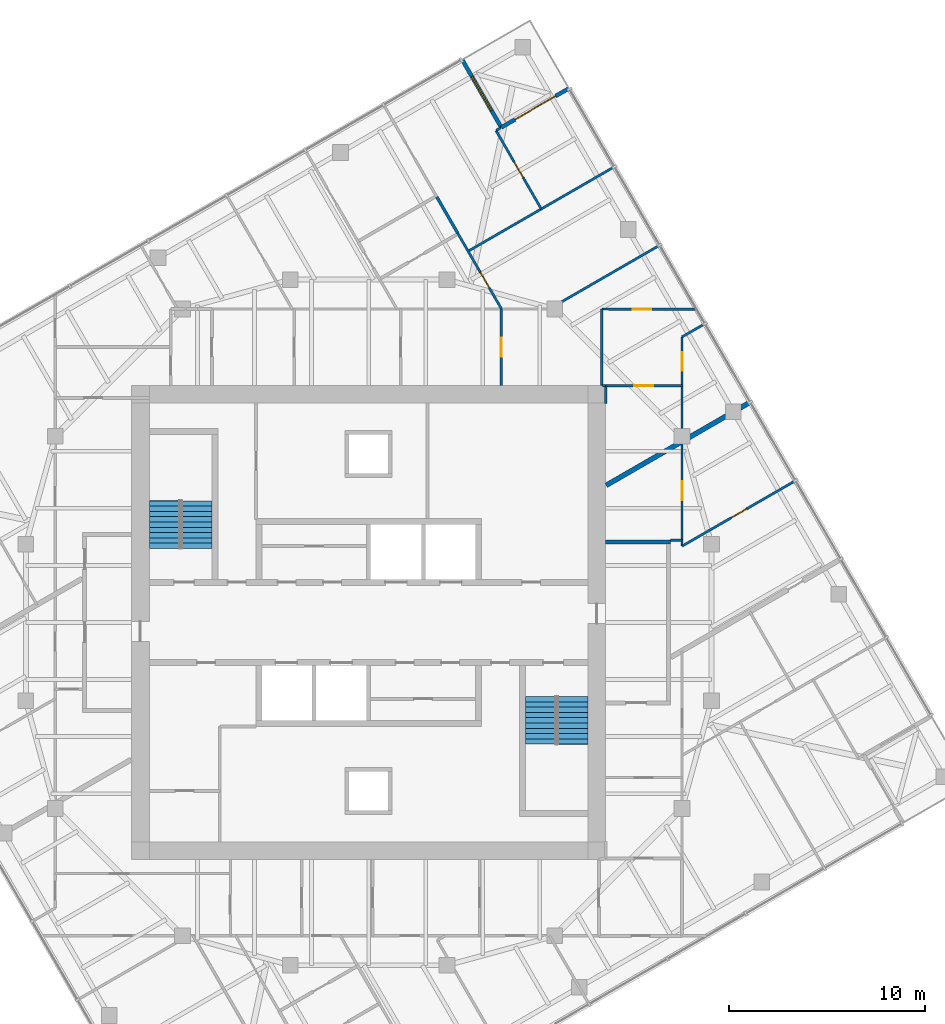
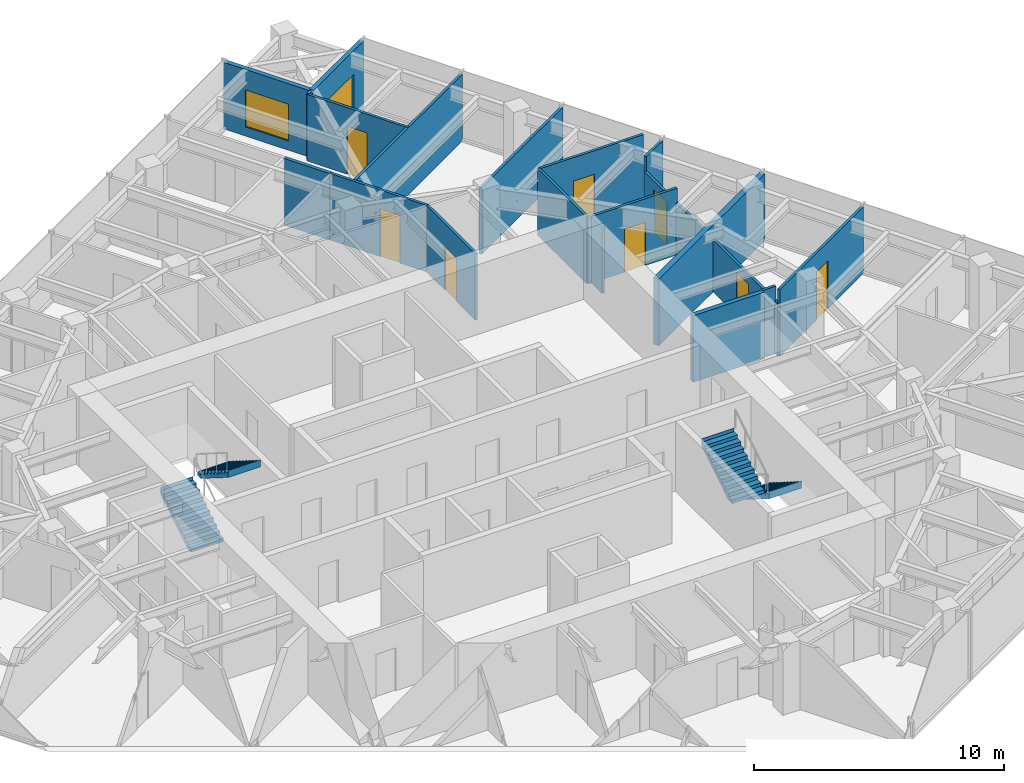
# One storey, part 11 of 12: 20 walls, 9 doors, 4 stair flights, 1 window, 10 openings, 2 elements without a shape of their own.
"""IFC4 building model written with IfcOpenShell, lengths in metres."""

from ifc_helpers import new_model, si_unit, direction, frame, frame_2d, origin, place, context, subcontext, project, spatial, polyline, rectangle, outline, extrude, material, layer, layer_set, type_object, element, fill, aggregate, save


model = new_model("IFC4")

# Units and contexts
model_context = context("Model", 3, precision=1e-05, world=origin(), true_north=direction((0.0, 1.0)))
body_context = subcontext(model_context, "Body", "Model", "MODEL_VIEW")
ifc_project = project(units=[si_unit("LENGTHUNIT", "METRE"), si_unit("AREAUNIT", "SQUARE_METRE"), si_unit("VOLUMEUNIT", "CUBIC_METRE"), si_unit("PLANEANGLEUNIT", "RADIAN"), si_unit("MASSUNIT", "GRAM", prefix="KILO")], contexts=[model_context])

# Site, building, storey
site_placement = place(None, origin())
site = spatial("IfcSite", under=ifc_project, at=site_placement, CompositionType="ELEMENT")
building_placement = place(site_placement, origin())
building = spatial("IfcBuilding", under=site, at=building_placement, Name="Torsade Residences", CompositionType="ELEMENT")
storey_placement = place(building_placement, frame((0.0, 0.0, 218.39990234375)))
storey = spatial("IfcBuildingStorey", under=building, at=storey_placement, Name="L60", CompositionType="ELEMENT", Elevation=218.39990234375)

# Walls
ifc_material_1 = material(Name="Plasterboard on steel stud", Category="steel")
ifc_layer_1 = layer(ifc_material_1, 0.199951171875)
ifc_layer_set_1 = layer_set([ifc_layer_1], Name="Plasterboard on steel stud")
wall_type_1 = type_object("IfcWallType", Name="CORRIDOR WALL 200", PredefinedType="PARTITIONING", material=ifc_layer_set_1)
wall_1_placement = place(storey_placement, frame((52.10009765625, 34.10009765625, 0.0), z_axis=(0.0, 0.0, 1.0), x_axis=(1.0, 0.0, 0.0)))
element("IfcWall", 1, at=wall_1_placement, inside=storey, type_object=wall_type_1, Name="Corridor wall L60", PredefinedType="PARTITIONING", context=body_context, shape_type="SweptSolid", body=[
    extrude(rectangle(XDim=3.2998046875, YDim=0.199951171875, at=frame_2d((1.64990234375, 0.0))), origin(), (0.0, 0.0, 1.0), 3.25),
])
ifc_material_2 = material(Name="Plasterboard on steel stud", Category="steel")
ifc_layer_2 = layer(ifc_material_2, 0.1201171875)
ifc_layer_set_2 = layer_set([ifc_layer_2], Name="Plasterboard on steel stud")
wall_type_2 = type_object("IfcWallType", Name="PARTITION 120", PredefinedType="PARTITIONING", material=ifc_layer_set_2)
wall_2_placement = place(storey_placement, frame((56.0, 34.199951171875, 0.0), z_axis=(0.0, 0.0, 1.0), x_axis=(-1.0, 0.0, 0.0)))
element("IfcWall", 2, at=wall_2_placement, inside=storey, type_object=wall_type_2, Name="Partition L60", PredefinedType="PARTITIONING", context=body_context, shape_type="SweptSolid", body=[
    extrude(rectangle(XDim=0.60009765625, YDim=0.1201171875, at=frame_2d((0.300048828125, 0.0))), origin(), (0.0, 0.0, 1.0), 3.25),
])

# Wall, openings, doors
wall_3_placement = place(storey_placement, frame((56.0, 44.578125, 0.0), z_axis=(0.0, 0.0, 1.0), x_axis=(0.0, -1.0, 0.0)))
wall_3 = element("IfcWall", 3, at=wall_3_placement, inside=storey, type_object=wall_type_2, Name="Partition L60", PredefinedType="PARTITIONING", context=body_context, shape_type="SweptSolid", body=[
    extrude(rectangle(XDim=10.680908203125, YDim=0.1201171875, at=frame_2d((5.34033203125, 0.0))), origin(), (0.0, 0.0, 1.0), 2.550048828125),
])
opening_1_placement = place(wall_3_placement, frame((0.770263671875, 0.0, 0.0)))
opening_1 = element("IfcOpeningElement", 4, at=opening_1_placement, cuts=wall_3, Name="Opening D05", PredefinedType="OPENING", context=body_context, shape_type="SweptSolid", body=[
    extrude(rectangle(XDim=0.9599609375, YDim=2.10009765625, at=frame_2d((0.47998046875, 1.050048828125))), frame((0.0, 0.070068359375, 0.0), z_axis=(0.0, -1.0, 0.0), x_axis=(1.0, 0.0, 0.0)), (0.0, 0.0, 1.0), 0.14013671875),
])
opening_2_placement = place(wall_3_placement, frame((7.37939453125, 0.0, 0.0)))
opening_2 = element("IfcOpeningElement", 5, at=opening_2_placement, cuts=wall_3, Name="Opening D05", PredefinedType="OPENING", context=body_context, shape_type="SweptSolid", body=[
    extrude(rectangle(XDim=0.9599609375, YDim=2.10009765625, at=frame_2d((0.47998046875, 1.050048828125))), frame((0.0, 0.070068359375, 0.0), z_axis=(0.0, -1.0, 0.0), x_axis=(1.0, 0.0, 0.0)), (0.0, 0.0, 1.0), 0.14013671875),
])
ifc_material_3 = material(Name="Hollow-core timber door in a steel cavity frame", Category="steel")
door_type_1 = type_object("IfcDoorType", Name="BATHROOM CAVITY SLIDING DOOR 960", OperationType="SLIDING_TO_LEFT", PredefinedType="DOOR", material=ifc_material_3)
door_1_placement = place(opening_1_placement, origin())
door_1 = element("IfcDoor", 6, at=door_1_placement, inside=storey, type_object=door_type_1, Name="Door Bathroom to Dining room 2", OperationType="SLIDING_TO_LEFT", OverallHeight=2.10009765625, OverallWidth=0.9599609375, PredefinedType="DOOR", context=body_context, shape_type="SweptSolid", body=[
    extrude(rectangle(XDim=0.9599609375, YDim=2.10009765625, at=frame_2d((0.47998046875, 1.050048828125))), frame((0.0, 0.02490234375, 0.0), z_axis=(0.0, -1.0, 0.0), x_axis=(1.0, 0.0, 0.0)), (0.0, 0.0, 1.0), 0.050048828125),
])
fill(opening_1, door_1)
door_2_placement = place(opening_2_placement, origin())
door_2 = element("IfcDoor", 7, at=door_2_placement, inside=storey, type_object=door_type_1, Name="Door Bedroom 1 2 to Bathroom 2", OperationType="SLIDING_TO_LEFT", OverallHeight=2.10009765625, OverallWidth=0.9599609375, PredefinedType="DOOR", context=body_context, shape_type="SweptSolid", body=[
    extrude(rectangle(XDim=0.9599609375, YDim=2.10009765625, at=frame_2d((0.47998046875, 1.050048828125))), frame((0.0, 0.02490234375, 0.0), z_axis=(0.0, -1.0, 0.0), x_axis=(1.0, 0.0, 0.0)), (0.0, 0.0, 1.0), 0.050048828125),
])
fill(opening_2, door_2)

# Wall, opening, door
wall_4_placement = place(storey_placement, frame((56.0, 33.897216796875, 0.0), z_axis=(0.0, 0.0, 1.0), x_axis=(0.866033470286, 0.49998602815, 0.0)))
wall_4 = element("IfcWall", 8, at=wall_4_placement, inside=storey, type_object=wall_type_2, Name="Partition L60", PredefinedType="PARTITIONING", context=body_context, shape_type="SweptSolid", body=[
    extrude(rectangle(XDim=6.655029296875, YDim=0.1201171875, at=frame_2d((3.32763671875, 0.0))), origin(), (0.0, 0.0, 1.0), 3.25),
])
opening_3_placement = place(wall_4_placement, frame((2.887451171875, 0.0, 0.0)))
opening_3 = element("IfcOpeningElement", 9, at=opening_3_placement, cuts=wall_4, Name="Opening D02", PredefinedType="OPENING", context=body_context, shape_type="SweptSolid", body=[
    extrude(rectangle(XDim=0.919921875, YDim=2.340087890625, at=frame_2d((0.4599609375, 1.169921875))), frame((0.0, 0.070068359375, 0.0), z_axis=(0.0, -1.0, 0.0), x_axis=(1.0, 0.0, 0.0)), (0.0, 0.0, 1.0), 0.14013671875),
])
ifc_material_4 = material(Name="Hollow-core timber door", Category="wood")
door_type_2 = type_object("IfcDoorType", Name="INTERNAL DOOR 920x2340", OperationType="NOTDEFINED", PredefinedType="DOOR", material=ifc_material_4)
door_3_placement = place(opening_3_placement, origin())
door_3 = element("IfcDoor", 10, at=door_3_placement, inside=storey, type_object=door_type_2, Name="Door Living room 2 to Bedroom 1 2", OperationType="SINGLE_SWING_LEFT", OverallHeight=2.340087890625, OverallWidth=0.919921875, PredefinedType="DOOR", context=body_context, shape_type="SweptSolid", body=[
    extrude(rectangle(XDim=0.919921875, YDim=2.340087890625, at=frame_2d((0.4599609375, 1.169921875))), frame((0.0, 0.02490234375, 0.0), z_axis=(0.0, -1.0, 0.0), x_axis=(1.0, 0.0, 0.0)), (0.0, 0.0, 1.0), 0.050048828125),
])
fill(opening_3, door_3)

wall_5_placement = place(storey_placement, frame((56.0, 42.07763671875, 0.0), z_axis=(0.0, 0.0, 1.0), x_axis=(-1.0, 0.0, 0.0)))
wall_5 = element("IfcWall", 11, at=wall_5_placement, inside=storey, type_object=wall_type_2, Name="Partition L60", PredefinedType="PARTITIONING", context=body_context, shape_type="SweptSolid", body=[
    extrude(rectangle(XDim=3.89990234375, YDim=0.1201171875, at=frame_2d((1.949951171875, 0.0))), origin(), (0.0, 0.0, 1.0), 3.25),
])
opening_4_placement = place(wall_5_placement, frame((1.469970703125, 0.0, 0.0)))
opening_4 = element("IfcOpeningElement", 12, at=opening_4_placement, cuts=wall_5, Name="Opening D05", PredefinedType="OPENING", context=body_context, shape_type="SweptSolid", body=[
    extrude(rectangle(XDim=0.9599609375, YDim=2.10009765625, at=frame_2d((0.47998046875, 1.050048828125))), frame((0.0, 0.070068359375, 0.0), z_axis=(0.0, -1.0, 0.0), x_axis=(1.0, 0.0, 0.0)), (0.0, 0.0, 1.0), 0.14013671875),
])
door_4_placement = place(opening_4_placement, origin())
door_4 = element("IfcDoor", 13, at=door_4_placement, inside=storey, type_object=door_type_1, Name="Door Bathroom to Dressing room", OperationType="SLIDING_TO_LEFT", OverallHeight=2.10009765625, OverallWidth=0.9599609375, PredefinedType="DOOR", context=body_context, shape_type="SweptSolid", body=[
    extrude(rectangle(XDim=0.9599609375, YDim=2.10009765625, at=frame_2d((0.47998046875, 1.050048828125))), frame((0.0, 0.02490234375, 0.0), z_axis=(0.0, -1.0, 0.0), x_axis=(1.0, 0.0, 0.0)), (0.0, 0.0, 1.0), 0.050048828125),
])
fill(opening_4, door_4)

# Wall
wall_6_placement = place(storey_placement, frame((51.90576171875, 42.10009765625, 0.0), z_axis=(0.0, 0.0, 1.0), x_axis=(0.0, 1.0, 0.0)))
element("IfcWall", 14, at=wall_6_placement, inside=storey, type_object=wall_type_2, Name="Partition L60", PredefinedType="PARTITIONING", context=body_context, shape_type="SweptSolid", body=[
    extrude(rectangle(XDim=3.89990234375, YDim=0.1201171875, at=frame_2d((1.949951171875, 0.0))), origin(), (0.0, 0.0, 1.0), 3.25),
])

# Wall, opening, door
wall_7_placement = place(storey_placement, frame((51.90576171875, 46.0, 0.0), z_axis=(0.0, 0.0, 1.0), x_axis=(0.999997822794, -0.002086721841, 0.0)))
wall_7 = element("IfcWall", 15, at=wall_7_placement, inside=storey, type_object=wall_type_2, Name="Partition L60", PredefinedType="PARTITIONING", context=body_context, shape_type="SweptSolid", body=[
    extrude(rectangle(XDim=4.796875, YDim=0.1201171875, at=frame_2d((2.3984375, 0.0))), origin(), (0.0, 0.0, 1.0), 3.25),
])
opening_5_placement = place(wall_7_placement, frame((1.567138671875, 0.0, 0.0)))
opening_5 = element("IfcOpeningElement", 16, at=opening_5_placement, cuts=wall_7, Name="Opening D05", PredefinedType="OPENING", context=body_context, shape_type="SweptSolid", body=[
    extrude(rectangle(XDim=0.9599609375, YDim=2.10009765625, at=frame_2d((0.47998046875, 1.050048828125))), frame((0.0, 0.070068359375, 0.0), z_axis=(0.0, -1.0, 0.0), x_axis=(1.0, 0.0, 0.0)), (0.0, 0.0, 1.0), 0.14013671875),
])
door_5_placement = place(opening_5_placement, origin())
door_5 = element("IfcDoor", 17, at=door_5_placement, inside=storey, type_object=door_type_1, Name="Door Media room 2 to Bathroom", OperationType="SLIDING_TO_LEFT", OverallHeight=2.10009765625, OverallWidth=0.9599609375, PredefinedType="DOOR", context=body_context, shape_type="SweptSolid", body=[
    extrude(rectangle(XDim=0.9599609375, YDim=2.10009765625, at=frame_2d((0.47998046875, 1.050048828125))), frame((0.0, 0.02490234375, 0.0), z_axis=(0.0, -1.0, 0.0), x_axis=(1.0, 0.0, 0.0)), (0.0, 0.0, 1.0), 0.050048828125),
])
fill(opening_5, door_5)

# Walls
wall_8_placement = place(storey_placement, frame((57.138427734375, 45.2353515625, 0.0), z_axis=(0.0, 0.0, 1.0), x_axis=(-0.866040225545, -0.499974327079, 0.0)))
element("IfcWall", 18, at=wall_8_placement, inside=storey, type_object=wall_type_2, Name="Partition L60", PredefinedType="PARTITIONING", context=body_context, shape_type="SweptSolid", body=[
    extrude(rectangle(XDim=1.314453125, YDim=0.1201171875, at=frame_2d((0.6572265625, 0.0))), origin(), (0.0, 0.0, 1.0), 3.25),
])
wall_9_placement = place(storey_placement, frame((52.10009765625, 41.179931640625, 0.0), z_axis=(0.0, 0.0, 1.0), x_axis=(0.0, 1.0, 0.0)))
element("IfcWall", 19, at=wall_9_placement, inside=storey, type_object=wall_type_2, Name="Partition L60", PredefinedType="PARTITIONING", context=body_context, shape_type="SweptSolid", body=[
    extrude(rectangle(XDim=0.897705078125, YDim=0.1201171875, at=frame_2d((0.44873046875, 0.0))), origin(), (0.0, 0.0, 1.0), 3.25),
])

# Wall, opening, door
wall_10_placement = place(storey_placement, frame((46.774658203125, 46.0, 0.0), z_axis=(0.0, 0.0, 1.0), x_axis=(0.0, -1.0, 0.0)))
wall_10 = element("IfcWall", 20, at=wall_10_placement, inside=storey, type_object=wall_type_2, Name="Partition L60", PredefinedType="PARTITIONING", context=body_context, shape_type="SweptSolid", body=[
    extrude(rectangle(XDim=3.89990234375, YDim=0.1201171875, at=frame_2d((1.949951171875, 0.0))), origin(), (0.0, 0.0, 1.0), 3.25),
])
opening_6_placement = place(wall_10_placement, frame((1.469970703125, 0.0, 0.0)))
opening_6 = element("IfcOpeningElement", 21, at=opening_6_placement, cuts=wall_10, Name="Opening D05", PredefinedType="OPENING", context=body_context, shape_type="SweptSolid", body=[
    extrude(rectangle(XDim=0.9599609375, YDim=2.10009765625, at=frame_2d((0.47998046875, 1.050048828125))), frame((0.0, 0.070068359375, 0.0), z_axis=(0.0, -1.0, 0.0), x_axis=(1.0, 0.0, 0.0)), (0.0, 0.0, 1.0), 0.14013671875),
])
door_6_placement = place(opening_6_placement, origin())
door_6 = element("IfcDoor", 22, at=door_6_placement, inside=storey, type_object=door_type_1, Name="Door Ensuite to Media room 2", OperationType="SLIDING_TO_LEFT", OverallHeight=2.10009765625, OverallWidth=0.9599609375, PredefinedType="DOOR", context=body_context, shape_type="SweptSolid", body=[
    extrude(rectangle(XDim=0.9599609375, YDim=2.10009765625, at=frame_2d((0.47998046875, 1.050048828125))), frame((0.0, 0.02490234375, 0.0), z_axis=(0.0, -1.0, 0.0), x_axis=(1.0, 0.0, 0.0)), (0.0, 0.0, 1.0), 0.050048828125),
])
fill(opening_6, door_6)

# Wall
wall_11_placement = place(storey_placement, frame((45.07861328125, 48.95361328125, 0.0), z_axis=(0.0, 0.0, 1.0), x_axis=(0.866025991751, 0.49999898161, 0.0)))
element("IfcWall", 23, at=wall_11_placement, inside=storey, type_object=wall_type_2, Name="Partition L60", PredefinedType="PARTITIONING", context=body_context, shape_type="SweptSolid", body=[
    extrude(rectangle(XDim=8.5849609375, YDim=0.1201171875, at=frame_2d((4.29248046875, 0.0))), origin(), (0.0, 0.0, 1.0), 3.25),
])

# Wall, opening, door
wall_12_placement = place(storey_placement, frame((46.783935546875, 46.0, 0.0), z_axis=(0.0, 0.0, 1.0), x_axis=(-0.500017500808, 0.866015299452, 0.0)))
wall_12 = element("IfcWall", 24, at=wall_12_placement, inside=storey, type_object=wall_type_2, Name="Partition L60", PredefinedType="PARTITIONING", context=body_context, shape_type="SweptSolid", body=[
    extrude(rectangle(XDim=4.488525390625, YDim=0.1201171875, at=frame_2d((2.244140625, 0.0))), origin(), (0.0, 0.0, 1.0), 3.25),
])
opening_7_placement = place(wall_12_placement, frame((1.245361328125, 0.0, 0.0)))
opening_7 = element("IfcOpeningElement", 25, at=opening_7_placement, cuts=wall_12, Name="Opening D02", PredefinedType="OPENING", context=body_context, shape_type="SweptSolid", body=[
    extrude(rectangle(XDim=0.919921875, YDim=2.340087890625, at=frame_2d((0.4599609375, 1.169921875))), frame((0.0, 0.070068359375, 0.0), z_axis=(0.0, -1.0, 0.0), x_axis=(1.0, 0.0, 0.0)), (0.0, 0.0, 1.0), 0.14013671875),
])
door_7_placement = place(opening_7_placement, origin())
door_7 = element("IfcDoor", 26, at=door_7_placement, inside=storey, type_object=door_type_2, Name="Door Walk-in robe to Bedroom 1", OperationType="SINGLE_SWING_LEFT", OverallHeight=2.340087890625, OverallWidth=0.919921875, PredefinedType="DOOR", context=body_context, shape_type="SweptSolid", body=[
    extrude(rectangle(XDim=0.919921875, YDim=2.340087890625, at=frame_2d((0.4599609375, 1.169921875))), frame((0.0, 0.02490234375, 0.0), z_axis=(0.0, -1.0, 0.0), x_axis=(1.0, 0.0, 0.0)), (0.0, 0.0, 1.0), 0.050048828125),
])
fill(opening_7, door_7)

# Walls
wall_13_placement = place(storey_placement, frame((54.825927734375, 49.24072265625, 0.0), z_axis=(0.0, 0.0, 1.0), x_axis=(-0.866023120914, -0.500003954026, 0.0)))
element("IfcWall", 27, at=wall_13_placement, inside=storey, type_object=wall_type_2, Name="Partition L60", PredefinedType="PARTITIONING", context=body_context, shape_type="SweptSolid", body=[
    extrude(rectangle(XDim=6.4814453125, YDim=0.1201171875, at=frame_2d((3.24072265625, 0.0))), origin(), (0.0, 0.0, 1.0), 3.25),
])
wall_14_placement = place(storey_placement, frame((46.73681640625, 55.25146484375, 0.0), z_axis=(0.0, 0.0, 1.0), x_axis=(-0.865829262097, -0.500339573586, 0.0)))
element("IfcWall", 28, at=wall_14_placement, inside=storey, type_object=wall_type_2, Name="Partition L60", PredefinedType="PARTITIONING", context=body_context, shape_type="SweptSolid", body=[
    extrude(rectangle(XDim=0.262451171875, YDim=0.1201171875, at=frame_2d((0.13134765625, 0.0))), origin(), (0.0, 0.0, 1.0), 3.25),
])

# Wall, opening, door
wall_15_placement = place(storey_placement, frame((46.505859375, 55.106689453125, 0.0), z_axis=(0.0, 0.0, 1.0), x_axis=(0.49996820914, -0.866043757468, 0.0)))
wall_15 = element("IfcWall", 29, at=wall_15_placement, inside=storey, type_object=wall_type_2, Name="Partition L60", PredefinedType="PARTITIONING", context=body_context, shape_type="SweptSolid", body=[
    extrude(rectangle(XDim=4.614990234375, YDim=0.1201171875, at=frame_2d((2.3076171875, 0.0))), origin(), (0.0, 0.0, 1.0), 3.25),
])
opening_8_placement = place(wall_15_placement, frame((1.847412109375, 0.0, 0.0)))
opening_8 = element("IfcOpeningElement", 30, at=opening_8_placement, cuts=wall_15, Name="Opening D02", PredefinedType="OPENING", context=body_context, shape_type="SweptSolid", body=[
    extrude(rectangle(XDim=0.919921875, YDim=2.340087890625, at=frame_2d((0.4599609375, 1.169921875))), frame((0.0, 0.070068359375, 0.0), z_axis=(0.0, -1.0, 0.0), x_axis=(1.0, 0.0, 0.0)), (0.0, 0.0, 1.0), 0.14013671875),
])
door_8_placement = place(opening_8_placement, origin())
door_8 = element("IfcDoor", 31, at=door_8_placement, inside=storey, type_object=door_type_2, Name="Door Bedroom 2 to Study 2", OperationType="SINGLE_SWING_LEFT", OverallHeight=2.340087890625, OverallWidth=0.919921875, PredefinedType="DOOR", context=body_context, shape_type="SweptSolid", body=[
    extrude(rectangle(XDim=0.919921875, YDim=2.340087890625, at=frame_2d((0.4599609375, 1.169921875))), frame((0.0, 0.02490234375, 0.0), z_axis=(0.0, -1.0, 0.0), x_axis=(1.0, 0.0, 0.0)), (0.0, 0.0, 1.0), 0.050048828125),
])
fill(opening_8, door_8)

# Walls
wall_16_placement = place(storey_placement, frame((51.90576171875, 42.10009765625, 0.0), z_axis=(0.0, 0.0, 1.0), x_axis=(0.993387055489, -0.114813579278, 0.0)))
element("IfcWall", 32, at=wall_16_placement, inside=storey, type_object=wall_type_2, Name="Partition L60", PredefinedType="PARTITIONING", context=body_context, shape_type="SweptSolid", body=[
    extrude(rectangle(XDim=0.195556640625, YDim=0.1201171875, at=frame_2d((0.09765625, 0.0))), origin(), (0.0, 0.0, 1.0), 3.25),
])
ifc_material_5 = material(Name="Masonry-lined stud party wall", Category="masonry")
ifc_layer_3 = layer(ifc_material_5, 0.25)
ifc_layer_set_3 = layer_set([ifc_layer_3], Name="Masonry-lined stud party wall")
wall_type_3 = type_object("IfcWallType", Name="PARTY WALL 250", PredefinedType="PARTITIONING", material=ifc_layer_set_3)
wall_17_placement = place(storey_placement, frame((59.485595703125, 41.25, 0.0), z_axis=(0.0, 0.0, 1.0), x_axis=(-0.866020489494, -0.500008511703, 0.0)))
element("IfcWall", 33, at=wall_17_placement, inside=storey, type_object=wall_type_3, Name="Party wall L60", PredefinedType="PARTITIONING", context=body_context, shape_type="SweptSolid", body=[
    extrude(rectangle(XDim=8.495849609375, YDim=0.25, at=frame_2d((4.248046875, 0.0))), origin(), (0.0, 0.0, 1.0), 3.25),
])
ifc_material_6 = material(Name="Reinforced blockwork", Category="masonry")
ifc_layer_4 = layer(ifc_material_6, 0.14990234375)
ifc_layer_set_4 = layer_set([ifc_layer_4], Name="Reinforced blockwork")
wall_type_4 = type_object("IfcWallType", Name="SERVICE ROOM WALL 150", PredefinedType="SOLIDWALL", material=ifc_layer_set_4)
wall_18_placement = place(storey_placement, frame((44.53955078125, 49.88720703125, 0.0), z_axis=(0.0, 0.0, 1.0), x_axis=(-0.500005013853, 0.866022509016, 0.0)))
element("IfcWall", 34, at=wall_18_placement, inside=storey, type_object=wall_type_4, Name="Service room wall L60", PredefinedType="SOLIDWALL", context=body_context, shape_type="SweptSolid", body=[
    extrude(rectangle(XDim=2.119140625, YDim=0.14990234375, at=frame_2d((1.0595703125, 0.0))), origin(), (0.0, 0.0, 1.0), 3.25),
])

# Wall, opening, door
ifc_material_7 = material(Name="Stone-faced precast concrete 40 MPa panel", Category="masonry")
ifc_layer_5 = layer(ifc_material_7, 0.199951171875)
ifc_layer_set_5 = layer_set([ifc_layer_5], Name="Stone-faced precast concrete 40 MPa panel")
wall_type_5 = type_object("IfcWallType", Name="TERRACE WALL 200", PredefinedType="SOLIDWALL", material=ifc_layer_set_5)
wall_19_placement = place(storey_placement, frame((50.235595703125, 57.271484375, 0.0), z_axis=(0.0, 0.0, 1.0), x_axis=(-0.866026010844, -0.49999894854, 0.0)))
wall_19 = element("IfcWall", 35, at=wall_19_placement, inside=storey, type_object=wall_type_5, Name="Terrace wall L60 5", PredefinedType="SOLIDWALL", context=body_context, shape_type="SweptSolid", body=[
    extrude(rectangle(XDim=4.0, YDim=0.199951171875, at=frame_2d((2.0, 0.0))), origin(), (0.0, 0.0, 1.0), 3.25),
])
opening_9_placement = place(wall_19_placement, frame((0.800048828125, 0.0, 0.0)))
opening_9 = element("IfcOpeningElement", 36, at=opening_9_placement, cuts=wall_19, Name="Opening D10A", PredefinedType="OPENING", context=body_context, shape_type="SweptSolid", body=[
    extrude(rectangle(XDim=2.39990234375, YDim=2.10009765625, at=frame_2d((1.199951171875, 1.050048828125))), frame((0.0, 0.10986328125, 0.0), z_axis=(0.0, -1.0, 0.0), x_axis=(1.0, 0.0, 0.0)), (0.0, 0.0, 1.0), 0.219970703125),
])
ifc_material_8 = material(Name="Aluminium-framed glass door", Category="aluminium")
door_type_3 = type_object("IfcDoorType", Name="TERRACE SLIDING DOOR 2400x2100", OperationType="SLIDING_TO_LEFT", PredefinedType="DOOR", material=ifc_material_8)
door_9_placement = place(opening_9_placement, origin())
door_9 = element("IfcDoor", 37, at=door_9_placement, inside=storey, type_object=door_type_3, Name="Terrace door L60 5", OperationType="SLIDING_TO_LEFT", OverallHeight=2.10009765625, OverallWidth=2.39990234375, PredefinedType="DOOR", context=body_context, shape_type="SweptSolid", body=[
    extrude(rectangle(XDim=2.39990234375, YDim=2.10009765625, at=frame_2d((1.199951171875, 1.050048828125))), frame((0.0, 0.02490234375, 0.0), z_axis=(0.0, -1.0, 0.0), x_axis=(1.0, 0.0, 0.0)), (0.0, 0.0, 1.0), 0.050048828125),
])
fill(opening_9, door_9)

# Wall, opening, window
wall_20_placement = place(storey_placement, frame((46.771484375, 55.271484375, 0.0), z_axis=(0.0, 0.0, 1.0), x_axis=(-0.49999894854, 0.866026010844, 0.0)))
wall_20 = element("IfcWall", 38, at=wall_20_placement, inside=storey, type_object=wall_type_5, Name="Terrace wall L60 6", PredefinedType="SOLIDWALL", context=body_context, shape_type="SweptSolid", body=[
    extrude(rectangle(XDim=4.0, YDim=0.199951171875, at=frame_2d((2.0, 0.0))), origin(), (0.0, 0.0, 1.0), 3.25),
])
opening_10_placement = place(wall_20_placement, frame((1.0, 0.0, 0.449951171875)))
opening_10 = element("IfcOpeningElement", 39, at=opening_10_placement, cuts=wall_20, Name="Opening W1B", PredefinedType="OPENING", context=body_context, shape_type="SweptSolid", body=[
    extrude(rectangle(XDim=2.0, YDim=1.800048828125, at=frame_2d((1.0, 0.89990234375))), frame((0.0, 0.10986328125, 0.0), z_axis=(0.0, -1.0, 0.0), x_axis=(1.0, 0.0, 0.0)), (0.0, 0.0, 1.0), 0.219970703125),
])
ifc_material_9 = material(Name="Aluminium-framed glass window", Category="aluminium")
window_type = type_object("IfcWindowType", Name="TERRACE WINDOW 2000x1800", PartitioningType="SINGLE_PANEL", PredefinedType="WINDOW", material=ifc_material_9)
window_placement = place(opening_10_placement, origin())
window = element("IfcWindow", 40, at=window_placement, inside=storey, type_object=window_type, Name="Terrace window L60 6", OverallHeight=1.800048828125, OverallWidth=2.0, PartitioningType="SINGLE_PANEL", PredefinedType="WINDOW", context=body_context, shape_type="SweptSolid", body=[
    extrude(rectangle(XDim=2.0, YDim=1.800048828125, at=frame_2d((1.0, 0.89990234375))), frame((0.0, 0.030029296875, 0.0), z_axis=(0.0, -1.0, 0.0), x_axis=(1.0, 0.0, 0.0)), (0.0, 0.0, 1.0), 0.06005859375),
])
fill(opening_10, window)

# Stair, stair flights
ifc_material_10 = material(Name="Precast concrete 40 MPa", Category="concrete")
stair_type = type_object("IfcStairType", Name="HALF-TURN FIRE STAIR 1500x3400", PredefinedType="HALF_TURN_STAIR", material=ifc_material_10)
stair_1_placement = place(storey_placement, origin())
stair_1 = element("IfcStair", 41, at=stair_1_placement, inside=storey, type_object=stair_type, Name="Stair ST1 L60", PredefinedType="HALF_TURN_STAIR")
ifc_material_11 = material(Name="Precast concrete 40 MPa", Category="concrete")
stair_flight_type = type_object("IfcStairFlightType", Name="PRECAST STAIR FLIGHT 1500x1700", PredefinedType="STRAIGHT", material=ifc_material_11)
stair_flight_1_placement = place(storey_placement, frame((29.550048828125, 33.780029296875, 0.0), z_axis=(0.0, 0.0, 1.0), x_axis=(0.0, 1.0, 0.0)))
stair_flight_1 = element("IfcStairFlight", 42, at=stair_flight_1_placement, type_object=stair_flight_type, Name="ST1 flight 1", NumberOfRisers=10, NumberOfTreads=9, PredefinedType="STRAIGHT", RiserHeight=0.17, TreadLength=0.27, context=body_context, shape_type="SweptSolid", body=[
    extrude(outline(polyline([(0.0, 0.0), (0.0, 0.169921875), (0.27001953125, 0.169921875), (0.27001953125, 0.340087890625), (0.5400390625, 0.340087890625), (0.5400390625, 0.510009765625), (0.81005859375, 0.510009765625), (0.81005859375, 0.679931640625), (1.080078125, 0.679931640625), (1.080078125, 0.85009765625), (1.35009765625, 0.85009765625), (1.35009765625, 1.02001953125), (1.6201171875, 1.02001953125), (1.6201171875, 1.18994140625), (1.889892578125, 1.18994140625), (1.889892578125, 1.360107421875), (2.159912109375, 1.360107421875), (2.159912109375, 1.530029296875), (2.429931640625, 1.530029296875), (2.429931640625, 1.699951171875), (2.43994140625, 1.699951171875), (2.43994140625, 1.352783203125), (2.429931640625, 1.352783203125), (0.28125, 0.0), (0.0, 0.0)])), frame((0.0, 0.75, 0.0), z_axis=(0.0, -1.0, 0.0), x_axis=(1.0, 0.0, 0.0)), (0.0, 0.0, 1.0), 1.5),
])
stair_flight_2_placement = place(storey_placement, frame((31.25, 36.2099609375, 1.7001953125), z_axis=(0.0, 0.0, 1.0), x_axis=(0.0, -1.0, 0.0)))
stair_flight_2 = element("IfcStairFlight", 43, at=stair_flight_2_placement, type_object=stair_flight_type, Name="ST1 flight 2", NumberOfRisers=10, NumberOfTreads=9, PredefinedType="STRAIGHT", RiserHeight=0.17, TreadLength=0.27, context=body_context, shape_type="SweptSolid", body=[
    extrude(outline(polyline([(0.0, 0.0), (0.0, 0.169921875), (0.27001953125, 0.169921875), (0.27001953125, 0.340087890625), (0.5400390625, 0.340087890625), (0.5400390625, 0.510009765625), (0.81005859375, 0.510009765625), (0.81005859375, 0.679931640625), (1.080078125, 0.679931640625), (1.080078125, 0.85009765625), (1.35009765625, 0.85009765625), (1.35009765625, 1.02001953125), (1.6201171875, 1.02001953125), (1.6201171875, 1.18994140625), (1.889892578125, 1.18994140625), (1.889892578125, 1.360107421875), (2.159912109375, 1.360107421875), (2.159912109375, 1.530029296875), (2.429931640625, 1.530029296875), (2.429931640625, 1.699951171875), (2.43994140625, 1.699951171875), (2.43994140625, 1.352783203125), (2.429931640625, 1.352783203125), (0.28125, 0.0), (0.0, 0.0)])), frame((0.0, 0.75, 0.0), z_axis=(0.0, -1.0, 0.0), x_axis=(1.0, 0.0, 0.0)), (0.0, 0.0, 1.0), 1.5),
])
aggregate(stair_1, [stair_flight_1, stair_flight_2])

stair_2_placement = place(storey_placement, origin())
stair_2 = element("IfcStair", 44, at=stair_2_placement, inside=storey, type_object=stair_type, Name="Stair ST2 L60", PredefinedType="HALF_TURN_STAIR")
stair_flight_3_placement = place(storey_placement, frame((50.449951171875, 26.219970703125, 0.0), z_axis=(0.0, 0.0, 1.0), x_axis=(0.0, -1.0, 0.0)))
stair_flight_3 = element("IfcStairFlight", 45, at=stair_flight_3_placement, type_object=stair_flight_type, Name="ST2 flight 1", NumberOfRisers=10, NumberOfTreads=9, PredefinedType="STRAIGHT", RiserHeight=0.17, TreadLength=0.27, context=body_context, shape_type="SweptSolid", body=[
    extrude(outline(polyline([(0.0, 0.0), (0.0, 0.169921875), (0.27001953125, 0.169921875), (0.27001953125, 0.340087890625), (0.5400390625, 0.340087890625), (0.5400390625, 0.510009765625), (0.81005859375, 0.510009765625), (0.81005859375, 0.679931640625), (1.080078125, 0.679931640625), (1.080078125, 0.85009765625), (1.35009765625, 0.85009765625), (1.35009765625, 1.02001953125), (1.6201171875, 1.02001953125), (1.6201171875, 1.18994140625), (1.889892578125, 1.18994140625), (1.889892578125, 1.360107421875), (2.159912109375, 1.360107421875), (2.159912109375, 1.530029296875), (2.429931640625, 1.530029296875), (2.429931640625, 1.699951171875), (2.43994140625, 1.699951171875), (2.43994140625, 1.352783203125), (2.429931640625, 1.352783203125), (0.28125, 0.0), (0.0, 0.0)])), frame((0.0, 0.75, 0.0), z_axis=(0.0, -1.0, 0.0), x_axis=(1.0, 0.0, 0.0)), (0.0, 0.0, 1.0), 1.5),
])
stair_flight_4_placement = place(storey_placement, frame((48.75, 23.7900390625, 1.7001953125), z_axis=(0.0, 0.0, 1.0), x_axis=(0.0, 1.0, 0.0)))
stair_flight_4 = element("IfcStairFlight", 46, at=stair_flight_4_placement, type_object=stair_flight_type, Name="ST2 flight 2", NumberOfRisers=10, NumberOfTreads=9, PredefinedType="STRAIGHT", RiserHeight=0.17, TreadLength=0.27, context=body_context, shape_type="SweptSolid", body=[
    extrude(outline(polyline([(0.0, 0.0), (0.0, 0.169921875), (0.27001953125, 0.169921875), (0.27001953125, 0.340087890625), (0.5400390625, 0.340087890625), (0.5400390625, 0.510009765625), (0.81005859375, 0.510009765625), (0.81005859375, 0.679931640625), (1.080078125, 0.679931640625), (1.080078125, 0.85009765625), (1.35009765625, 0.85009765625), (1.35009765625, 1.02001953125), (1.6201171875, 1.02001953125), (1.6201171875, 1.18994140625), (1.889892578125, 1.18994140625), (1.889892578125, 1.360107421875), (2.159912109375, 1.360107421875), (2.159912109375, 1.530029296875), (2.429931640625, 1.530029296875), (2.429931640625, 1.699951171875), (2.43994140625, 1.699951171875), (2.43994140625, 1.352783203125), (2.429931640625, 1.352783203125), (0.28125, 0.0), (0.0, 0.0)])), frame((0.0, 0.75, 0.0), z_axis=(0.0, -1.0, 0.0), x_axis=(1.0, 0.0, 0.0)), (0.0, 0.0, 1.0), 1.5),
])
aggregate(stair_2, [stair_flight_3, stair_flight_4])

save(model, "model.ifc")
